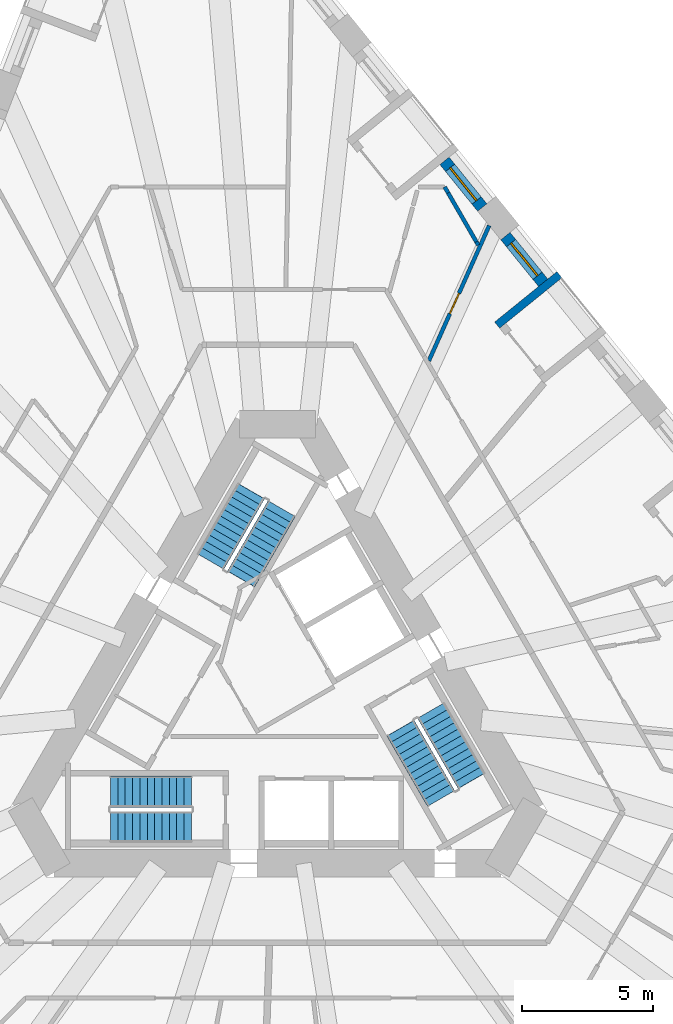
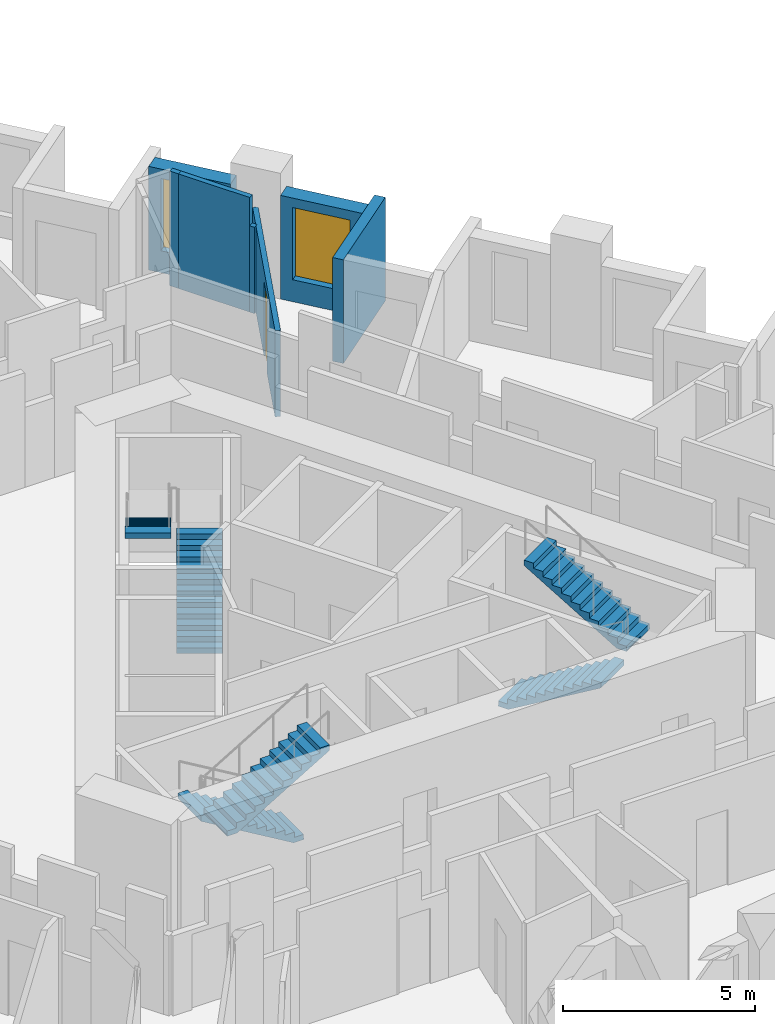
# One storey, part 10 of 14: 7 walls, 6 stair flights, 2 windows, 1 door, 3 openings, 3 elements without a shape of their own.
"""IFC4 building model written with IfcOpenShell, lengths in metres."""

from ifc_helpers import new_model, si_unit, direction, frame, frame_2d, origin, place, context, subcontext, project, spatial, polyline, rectangle, outline, extrude, material, layer, layer_set, type_object, element, fill, aggregate, save


model = new_model("IFC4")

# Units and contexts
model_context = context("Model", 3, precision=1e-05, world=origin(), true_north=direction((0.0, 1.0)))
body_context = subcontext(model_context, "Body", "Model", "MODEL_VIEW")
ifc_project = project(units=[si_unit("LENGTHUNIT", "METRE"), si_unit("AREAUNIT", "SQUARE_METRE"), si_unit("VOLUMEUNIT", "CUBIC_METRE"), si_unit("PLANEANGLEUNIT", "RADIAN"), si_unit("MASSUNIT", "GRAM", prefix="KILO")], contexts=[model_context])

# Site, building, storey
site_placement = place(None, origin())
site = spatial("IfcSite", under=ifc_project, at=site_placement, CompositionType="ELEMENT")
building_placement = place(site_placement, origin())
building = spatial("IfcBuilding", under=site, at=building_placement, Name="Tramontana Tower", CompositionType="ELEMENT")
storey_placement = place(building_placement, frame((0.0, 0.0, 63.199951171875)))
storey = spatial("IfcBuildingStorey", under=building, at=storey_placement, Name="L13", CompositionType="ELEMENT", Elevation=63.199951171875)

# Wall, opening, window
ifc_material_1 = material(Name="Precast concrete 60 MPa", Category="concrete")
ifc_layer_1 = layer(ifc_material_1, 0.449951171875)
ifc_layer_set_1 = layer_set([ifc_layer_1], Name="Precast concrete 60 MPa, 450 mm")
wall_type_1 = type_object("IfcWallType", Name="EW1 Stone-faced precast wall 450", PredefinedType="SOLIDWALL", material=ifc_layer_set_1)
wall_1_placement = place(storey_placement, frame((10.09814453125, 15.85400390625, 0.0), z_axis=(0.0, 0.0, 1.0), x_axis=(-0.629339730135, 0.777130300576, 0.0)))
wall_1 = element("IfcWall", 1, at=wall_1_placement, inside=storey, type_object=wall_type_1, Name="External wall L13 face 2 bay 4", PredefinedType="SOLIDWALL", context=body_context, shape_type="SweptSolid", body=[
    extrude(rectangle(XDim=2.282958984375, YDim=0.449951171875, at=frame_2d((1.1416015625, 0.0))), origin(), (0.0, 0.0, 1.0), 3.300048828125),
])
opening_1_placement = place(wall_1_placement, frame((0.341552734375, 0.0, 0.699951171875)))
opening_1 = element("IfcOpeningElement", 2, at=opening_1_placement, cuts=wall_1, Name="Opening M1", PredefinedType="OPENING", context=body_context, shape_type="SweptSolid", body=[
    extrude(rectangle(XDim=1.60009765625, YDim=2.300048828125, at=frame_2d((0.800048828125, 1.14990234375))), frame((0.0, 0.23486328125, 0.0), z_axis=(0.0, -1.0, 0.0), x_axis=(1.0, 0.0, 0.0)), (0.0, 0.0, 1.0), 0.469970703125),
])
ifc_material_2 = material(Name="Aluminum frame, double glazing unit", Category="aluminium")
window_type = type_object("IfcWindowType", Name="M1 Window 1.6 x 2.3", PartitioningType="SINGLE_PANEL", PredefinedType="WINDOW", material=ifc_material_2)
window_1_placement = place(opening_1_placement, origin())
window_1 = element("IfcWindow", 3, at=window_1_placement, inside=storey, type_object=window_type, Name="Window M1 L13 face 2 module 12", OverallHeight=2.300048828125, OverallWidth=1.60009765625, PartitioningType="SINGLE_PANEL", PredefinedType="WINDOW", context=body_context, shape_type="SweptSolid", body=[
    extrude(rectangle(XDim=1.60009765625, YDim=2.300048828125, at=frame_2d((0.800048828125, 1.14990234375))), frame((0.0, 0.030029296875, 0.0), z_axis=(0.0, -1.0, 0.0), x_axis=(1.0, 0.0, 0.0)), (0.0, 0.0, 1.0), 0.06005859375),
])
fill(opening_1, window_1)

wall_2_placement = place(storey_placement, frame((7.7802734375, 18.71630859375, 0.0), z_axis=(0.0, 0.0, 1.0), x_axis=(-0.629275139402, 0.777182603337, 0.0)))
wall_2 = element("IfcWall", 4, at=wall_2_placement, inside=storey, type_object=wall_type_1, Name="External wall L13 face 2 bay 5", PredefinedType="SOLIDWALL", context=body_context, shape_type="SweptSolid", body=[
    extrude(rectangle(XDim=2.28271484375, YDim=0.449951171875, at=frame_2d((1.141357421875, 0.0))), origin(), (0.0, 0.0, 1.0), 3.300048828125),
])
opening_2_placement = place(wall_2_placement, frame((0.341552734375, 0.0, 0.699951171875)))
opening_2 = element("IfcOpeningElement", 5, at=opening_2_placement, cuts=wall_2, Name="Opening M1", PredefinedType="OPENING", context=body_context, shape_type="SweptSolid", body=[
    extrude(rectangle(XDim=1.60009765625, YDim=2.300048828125, at=frame_2d((0.800048828125, 1.14990234375))), frame((0.0, 0.23486328125, 0.0), z_axis=(0.0, -1.0, 0.0), x_axis=(1.0, 0.0, 0.0)), (0.0, 0.0, 1.0), 0.469970703125),
])
window_2_placement = place(opening_2_placement, origin())
window_2 = element("IfcWindow", 6, at=window_2_placement, inside=storey, type_object=window_type, Name="Window M1 L13 face 2 module 13", OverallHeight=2.300048828125, OverallWidth=1.60009765625, PartitioningType="SINGLE_PANEL", PredefinedType="WINDOW", context=body_context, shape_type="SweptSolid", body=[
    extrude(rectangle(XDim=1.60009765625, YDim=2.300048828125, at=frame_2d((0.800048828125, 1.14990234375))), frame((0.0, 0.030029296875, 0.0), z_axis=(0.0, -1.0, 0.0), x_axis=(1.0, 0.0, 0.0)), (0.0, 0.0, 1.0), 0.06005859375),
])
fill(opening_2, window_2)

# Walls
ifc_material_3 = material(Name="Precast concrete 60 MPa", Category="concrete")
ifc_layer_2 = layer(ifc_material_3, 0.300048828125)
ifc_layer_set_2 = layer_set([ifc_layer_2], Name="LW1 Stone-faced loggia wall 300")
wall_type_2 = type_object("IfcWallType", Name="LW1 Stone-faced loggia wall 300", PredefinedType="SOLIDWALL", material=ifc_layer_set_2)
wall_3_placement = place(storey_placement, frame((10.717041015625, 16.162353515625, 0.0), z_axis=(0.0, 0.0, 1.0), x_axis=(-0.777121820661, -0.629350201281, 0.0)))
element("IfcWall", 7, at=wall_3_placement, inside=storey, type_object=wall_type_2, Name="Loggia return L13 G1S2.10b", PredefinedType="SOLIDWALL", context=body_context, shape_type="SweptSolid", body=[
    extrude(rectangle(XDim=3.0498046875, YDim=0.300048828125, at=frame_2d((1.52490234375, 0.0))), origin(), (0.0, 0.0, 1.0), 3.300048828125),
])
ifc_material_4 = material(Name="Gypsum board partition")
ifc_layer_3 = layer(ifc_material_4, 0.14990234375)
ifc_layer_set_3 = layer_set([ifc_layer_3], Name="PARTITION 150")
wall_type_3 = type_object("IfcWallType", Name="PARTITION 150", PredefinedType="PARTITIONING", material=ifc_layer_set_3)
wall_4_placement = place(storey_placement, frame((6.48388671875, 19.26953125, 0.0), z_axis=(0.0, 0.0, 1.0), x_axis=(0.50000823972, -0.866020646528, 0.0)))
element("IfcWall", 8, at=wall_4_placement, inside=storey, type_object=wall_type_3, Name="Wall v11-pw39-0", PredefinedType="PARTITIONING", context=body_context, shape_type="SweptSolid", body=[
    extrude(rectangle(XDim=2.14453125, YDim=0.14990234375, at=frame_2d((1.072265625, 0.0))), origin(), (0.0, 0.0, 1.0), 3.650146484375),
])
wall_5_placement = place(storey_placement, frame((7.55615234375, 17.412353515625, 0.0), z_axis=(0.0, 0.0, 1.0), x_axis=(0.500195626709, -0.865912429188, 0.0)))
element("IfcWall", 9, at=wall_5_placement, inside=storey, type_object=wall_type_3, Name="Wall v11-pw39-1", PredefinedType="PARTITIONING", context=body_context, shape_type="SweptSolid", body=[
    extrude(rectangle(XDim=0.14892578125, YDim=0.14990234375, at=frame_2d((0.074462890625, 0.0))), origin(), (0.0, 0.0, 1.0), 2.75),
])

# Wall, opening, door
wall_6_placement = place(storey_placement, frame((5.751220703125, 12.888427734375, 0.0), z_axis=(0.0, 0.0, 1.0), x_axis=(0.407537867325, 0.913188308454, 0.0)))
wall_6 = element("IfcWall", 10, at=wall_6_placement, inside=storey, type_object=wall_type_3, Name="Wall v11-pw40-0", PredefinedType="PARTITIONING", context=body_context, shape_type="SweptSolid", body=[
    extrude(rectangle(XDim=5.631103515625, YDim=0.14990234375, at=frame_2d((2.8154296875, 0.0))), origin(), (0.0, 0.0, 1.0), 2.75),
])
opening_3_placement = place(wall_6_placement, frame((1.958740234375, 0.0, 0.0)))
opening_3 = element("IfcOpeningElement", 11, at=opening_3_placement, cuts=wall_6, Name="Opening B1B-10", PredefinedType="OPENING", context=body_context, shape_type="SweptSolid", body=[
    extrude(rectangle(XDim=0.85009765625, YDim=2.39990234375, at=frame_2d((0.425048828125, 1.199951171875))), frame((0.0, 0.0849609375, 0.0), z_axis=(0.0, -1.0, 0.0), x_axis=(1.0, 0.0, 0.0)), (0.0, 0.0, 1.0), 0.169921875),
])
ifc_material_5 = material(Name="Painted timber", Category="wood")
door_type = type_object("IfcDoorType", Name="DOOR BATH 850", OperationType="SINGLE_SWING_LEFT", PredefinedType="DOOR", material=ifc_material_5)
door_placement = place(opening_3_placement, origin())
door = element("IfcDoor", 12, at=door_placement, inside=storey, type_object=door_type, Name="Door B1B-10", OperationType="SINGLE_SWING_RIGHT", OverallHeight=2.39990234375, OverallWidth=0.85009765625, PredefinedType="DOOR", context=body_context, shape_type="SweptSolid", body=[
    extrude(rectangle(XDim=0.85009765625, YDim=2.39990234375, at=frame_2d((0.425048828125, 1.199951171875))), frame((0.0, 0.02490234375, 0.0), z_axis=(0.0, -1.0, 0.0), x_axis=(1.0, 0.0, 0.0)), (0.0, 0.0, 1.0), 0.050048828125),
])
fill(opening_3, door)

# Wall
wall_7_placement = place(storey_placement, frame((6.350830078125, 19.5, 0.0), z_axis=(0.0, 0.0, 1.0), x_axis=(0.499987164874, -0.866032814021, 0.0)))
element("IfcWall", 13, at=wall_7_placement, inside=storey, type_object=wall_type_3, Name="Wall v11-pwc00", PredefinedType="PARTITIONING", context=body_context, shape_type="SweptSolid", body=[
    extrude(rectangle(XDim=0.26611328125, YDim=0.14990234375, at=frame_2d((0.133056640625, 0.0))), origin(), (0.0, 0.0, 1.0), 3.650146484375),
])

# Stair, stair flights
ifc_material_6 = material(Name="Concrete 40 MPa", Category="concrete")
stair_type = type_object("IfcStairType", Name="EXIT STAIR 24 RISERS", PredefinedType="HALF_TURN_STAIR", material=ifc_material_6)
stair_1_placement = place(storey_placement, origin())
stair_1 = element("IfcStair", 14, at=stair_1_placement, inside=storey, type_object=stair_type, Name="L13 Exit stair ST1", PredefinedType="HALF_TURN_STAIR")
ifc_material_7 = material(Name="Concrete 40 MPa", Category="concrete")
ifc_layer_4 = layer(ifc_material_7, 0.14990234375)
ifc_layer_set_4 = layer_set([ifc_layer_4], Name="EXIT STAIR FLIGHT")
stair_flight_type = type_object("IfcStairFlightType", Name="EXIT STAIR FLIGHT", PredefinedType="STRAIGHT", material=ifc_layer_set_4)
stair_flight_1_placement = place(storey_placement, frame((-1.39111328125, 4.590576171875, 0.0), z_axis=(0.0, 0.0, 1.0), x_axis=(0.5, 0.866025403784, 0.0)))
stair_flight_1 = element("IfcStairFlight", 15, at=stair_flight_1_placement, type_object=stair_flight_type, Name="ST1 flight 1", NumberOfRisers=12, NumberOfTreads=11, PredefinedType="STRAIGHT", RiserHeight=0.166666667, TreadLength=0.28, context=body_context, shape_type="SweptSolid", body=[
    extrude(outline(polyline([(-0.006103515625, 0.0), (-0.006103515625, 0.0400390625), (0.0, 0.0400390625), (0.0, 0.166748046875), (0.280029296875, 0.166748046875), (0.280029296875, 0.333251953125), (0.56005859375, 0.333251953125), (0.56005859375, 0.5), (0.840087890625, 0.5), (0.840087890625, 0.666748046875), (1.1201171875, 0.666748046875), (1.1201171875, 0.833251953125), (1.39990234375, 0.833251953125), (1.39990234375, 1.0), (1.679931640625, 1.0), (1.679931640625, 1.166748046875), (1.9599609375, 1.166748046875), (1.9599609375, 1.333251953125), (2.239990234375, 1.333251953125), (2.239990234375, 1.5), (2.52001953125, 1.5), (2.52001953125, 1.666748046875), (2.800048828125, 1.666748046875), (2.800048828125, 1.833251953125), (3.080078125, 1.833251953125), (3.0859375, 1.833251953125), (3.0859375, 1.658935546875), (0.299072265625, 0.0), (-0.006103515625, 0.0)])), frame((0.0, 0.60009765625, 0.0), z_axis=(0.0, -1.0, 0.0), x_axis=(1.0, 0.0, 0.0)), (0.0, 0.0, 1.0), 1.199951171875),
])
stair_flight_2_placement = place(storey_placement, frame((-1.020263671875, 7.932861328125, 2.0), z_axis=(0.0, 0.0, 1.0), x_axis=(-0.5, -0.866025403784, 0.0)))
stair_flight_2 = element("IfcStairFlight", 16, at=stair_flight_2_placement, type_object=stair_flight_type, Name="ST1 flight 2", NumberOfRisers=12, NumberOfTreads=11, PredefinedType="STRAIGHT", RiserHeight=0.166666667, TreadLength=0.28, context=body_context, shape_type="SweptSolid", body=[
    extrude(outline(polyline([(-0.006103515625, 0.0), (-0.006103515625, 0.0400390625), (0.0, 0.0400390625), (0.0, 0.166748046875), (0.280029296875, 0.166748046875), (0.280029296875, 0.333251953125), (0.56005859375, 0.333251953125), (0.56005859375, 0.5), (0.840087890625, 0.5), (0.840087890625, 0.666748046875), (1.1201171875, 0.666748046875), (1.1201171875, 0.833251953125), (1.39990234375, 0.833251953125), (1.39990234375, 1.0), (1.679931640625, 1.0), (1.679931640625, 1.166748046875), (1.9599609375, 1.166748046875), (1.9599609375, 1.333251953125), (2.239990234375, 1.333251953125), (2.239990234375, 1.5), (2.52001953125, 1.5), (2.52001953125, 1.666748046875), (2.800048828125, 1.666748046875), (2.800048828125, 1.833251953125), (3.080078125, 1.833251953125), (3.0859375, 1.833251953125), (3.0859375, 1.658935546875), (0.299072265625, 0.0), (-0.006103515625, 0.0)])), frame((0.0, 0.60009765625, 0.0), z_axis=(0.0, -1.0, 0.0), x_axis=(1.0, 0.0, 0.0)), (0.0, 0.0, 1.0), 1.199951171875),
])
aggregate(stair_1, [stair_flight_1, stair_flight_2])

stair_2_placement = place(storey_placement, origin())
stair_2 = element("IfcStair", 17, at=stair_2_placement, inside=storey, type_object=stair_type, Name="L13 Exit stair ST2", PredefinedType="HALF_TURN_STAIR")
stair_flight_3_placement = place(storey_placement, frame((-3.280029296875, -3.5, 0.0), z_axis=(0.0, 0.0, 1.0), x_axis=(-1.0, 0.0, 0.0)))
stair_flight_3 = element("IfcStairFlight", 18, at=stair_flight_3_placement, type_object=stair_flight_type, Name="ST2 flight 1", NumberOfRisers=12, NumberOfTreads=11, PredefinedType="STRAIGHT", RiserHeight=0.166666667, TreadLength=0.28, context=body_context, shape_type="SweptSolid", body=[
    extrude(outline(polyline([(-0.006103515625, 0.0), (-0.006103515625, 0.0400390625), (0.0, 0.0400390625), (0.0, 0.166748046875), (0.280029296875, 0.166748046875), (0.280029296875, 0.333251953125), (0.56005859375, 0.333251953125), (0.56005859375, 0.5), (0.840087890625, 0.5), (0.840087890625, 0.666748046875), (1.1201171875, 0.666748046875), (1.1201171875, 0.833251953125), (1.39990234375, 0.833251953125), (1.39990234375, 1.0), (1.679931640625, 1.0), (1.679931640625, 1.166748046875), (1.9599609375, 1.166748046875), (1.9599609375, 1.333251953125), (2.239990234375, 1.333251953125), (2.239990234375, 1.5), (2.52001953125, 1.5), (2.52001953125, 1.666748046875), (2.800048828125, 1.666748046875), (2.800048828125, 1.833251953125), (3.080078125, 1.833251953125), (3.0859375, 1.833251953125), (3.0859375, 1.658935546875), (0.299072265625, 0.0), (-0.006103515625, 0.0)])), frame((0.0, 0.60009765625, 0.0), z_axis=(0.0, -1.0, 0.0), x_axis=(1.0, 0.0, 0.0)), (0.0, 0.0, 1.0), 1.199951171875),
])
stair_flight_4_placement = place(storey_placement, frame((-6.360107421875, -4.85009765625, 2.0), z_axis=(0.0, 0.0, 1.0), x_axis=(1.0, 0.0, 0.0)))
stair_flight_4 = element("IfcStairFlight", 19, at=stair_flight_4_placement, type_object=stair_flight_type, Name="ST2 flight 2", NumberOfRisers=12, NumberOfTreads=11, PredefinedType="STRAIGHT", RiserHeight=0.166666667, TreadLength=0.28, context=body_context, shape_type="SweptSolid", body=[
    extrude(outline(polyline([(-0.006103515625, 0.0), (-0.006103515625, 0.0400390625), (0.0, 0.0400390625), (0.0, 0.166748046875), (0.280029296875, 0.166748046875), (0.280029296875, 0.333251953125), (0.56005859375, 0.333251953125), (0.56005859375, 0.5), (0.840087890625, 0.5), (0.840087890625, 0.666748046875), (1.1201171875, 0.666748046875), (1.1201171875, 0.833251953125), (1.39990234375, 0.833251953125), (1.39990234375, 1.0), (1.679931640625, 1.0), (1.679931640625, 1.166748046875), (1.9599609375, 1.166748046875), (1.9599609375, 1.333251953125), (2.239990234375, 1.333251953125), (2.239990234375, 1.5), (2.52001953125, 1.5), (2.52001953125, 1.666748046875), (2.800048828125, 1.666748046875), (2.800048828125, 1.833251953125), (3.080078125, 1.833251953125), (3.0859375, 1.833251953125), (3.0859375, 1.658935546875), (0.299072265625, 0.0), (-0.006103515625, 0.0)])), frame((0.0, 0.60009765625, 0.0), z_axis=(0.0, -1.0, 0.0), x_axis=(1.0, 0.0, 0.0)), (0.0, 0.0, 1.0), 1.199951171875),
])
aggregate(stair_2, [stair_flight_3, stair_flight_4])

stair_3_placement = place(storey_placement, origin())
stair_3 = element("IfcStair", 20, at=stair_3_placement, inside=storey, type_object=stair_type, Name="L13 Exit stair ST3", PredefinedType="HALF_TURN_STAIR")
stair_flight_5_placement = place(storey_placement, frame((4.671142578125, -1.090576171875, 0.0), z_axis=(0.0, 0.0, 1.0), x_axis=(0.5, -0.866025403784, 0.0)))
stair_flight_5 = element("IfcStairFlight", 21, at=stair_flight_5_placement, type_object=stair_flight_type, Name="ST3 flight 1", NumberOfRisers=12, NumberOfTreads=11, PredefinedType="STRAIGHT", RiserHeight=0.166666667, TreadLength=0.28, context=body_context, shape_type="SweptSolid", body=[
    extrude(outline(polyline([(-0.006103515625, 0.0), (-0.006103515625, 0.0400390625), (0.0, 0.0400390625), (0.0, 0.166748046875), (0.280029296875, 0.166748046875), (0.280029296875, 0.333251953125), (0.56005859375, 0.333251953125), (0.56005859375, 0.5), (0.840087890625, 0.5), (0.840087890625, 0.666748046875), (1.1201171875, 0.666748046875), (1.1201171875, 0.833251953125), (1.39990234375, 0.833251953125), (1.39990234375, 1.0), (1.679931640625, 1.0), (1.679931640625, 1.166748046875), (1.9599609375, 1.166748046875), (1.9599609375, 1.333251953125), (2.239990234375, 1.333251953125), (2.239990234375, 1.5), (2.52001953125, 1.5), (2.52001953125, 1.666748046875), (2.800048828125, 1.666748046875), (2.800048828125, 1.833251953125), (3.080078125, 1.833251953125), (3.0859375, 1.833251953125), (3.0859375, 1.658935546875), (0.299072265625, 0.0), (-0.006103515625, 0.0)])), frame((0.0, 0.60009765625, 0.0), z_axis=(0.0, -1.0, 0.0), x_axis=(1.0, 0.0, 0.0)), (0.0, 0.0, 1.0), 1.199951171875),
])
stair_flight_6_placement = place(storey_placement, frame((7.380126953125, -3.0830078125, 2.0), z_axis=(0.0, 0.0, 1.0), x_axis=(-0.5, 0.866025403784, 0.0)))
stair_flight_6 = element("IfcStairFlight", 22, at=stair_flight_6_placement, type_object=stair_flight_type, Name="ST3 flight 2", NumberOfRisers=12, NumberOfTreads=11, PredefinedType="STRAIGHT", RiserHeight=0.166666667, TreadLength=0.28, context=body_context, shape_type="SweptSolid", body=[
    extrude(outline(polyline([(-0.006103515625, 0.0), (-0.006103515625, 0.0400390625), (0.0, 0.0400390625), (0.0, 0.166748046875), (0.280029296875, 0.166748046875), (0.280029296875, 0.333251953125), (0.56005859375, 0.333251953125), (0.56005859375, 0.5), (0.840087890625, 0.5), (0.840087890625, 0.666748046875), (1.1201171875, 0.666748046875), (1.1201171875, 0.833251953125), (1.39990234375, 0.833251953125), (1.39990234375, 1.0), (1.679931640625, 1.0), (1.679931640625, 1.166748046875), (1.9599609375, 1.166748046875), (1.9599609375, 1.333251953125), (2.239990234375, 1.333251953125), (2.239990234375, 1.5), (2.52001953125, 1.5), (2.52001953125, 1.666748046875), (2.800048828125, 1.666748046875), (2.800048828125, 1.833251953125), (3.080078125, 1.833251953125), (3.0859375, 1.833251953125), (3.0859375, 1.658935546875), (0.299072265625, 0.0), (-0.006103515625, 0.0)])), frame((0.0, 0.60009765625, 0.0), z_axis=(0.0, -1.0, 0.0), x_axis=(1.0, 0.0, 0.0)), (0.0, 0.0, 1.0), 1.199951171875),
])
aggregate(stair_3, [stair_flight_5, stair_flight_6])

save(model, "model.ifc")
